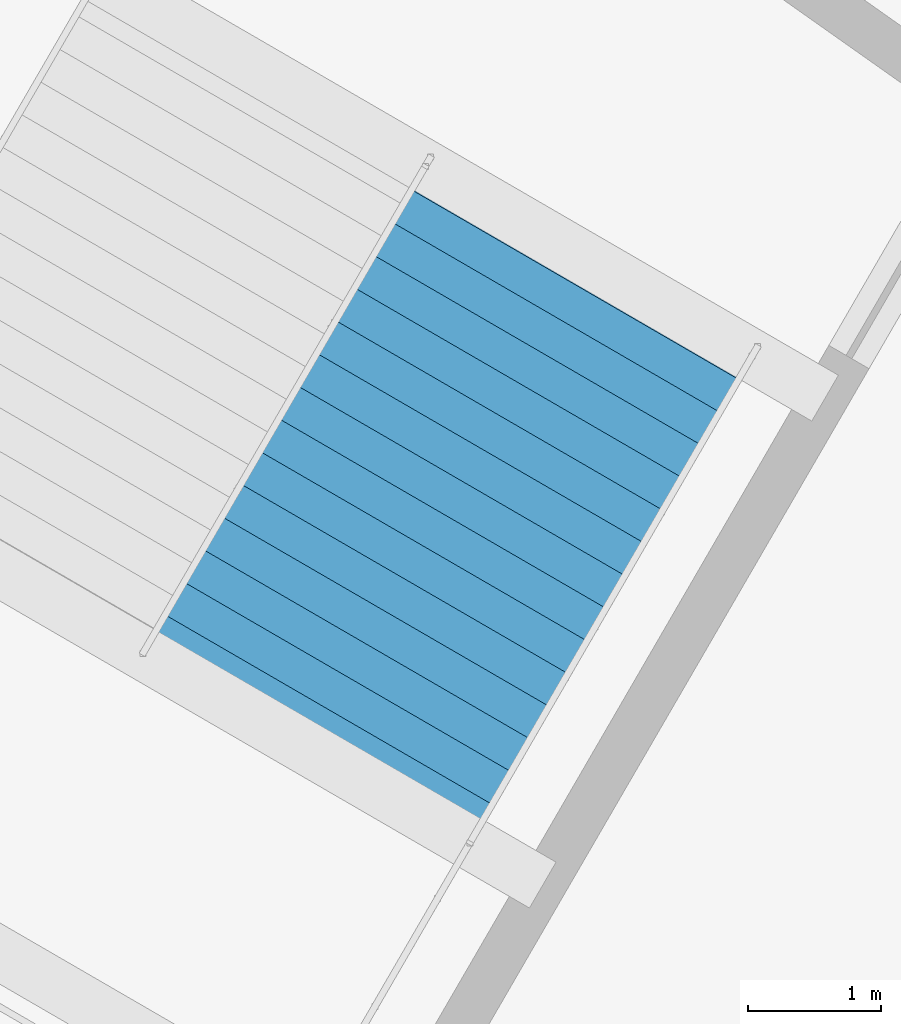
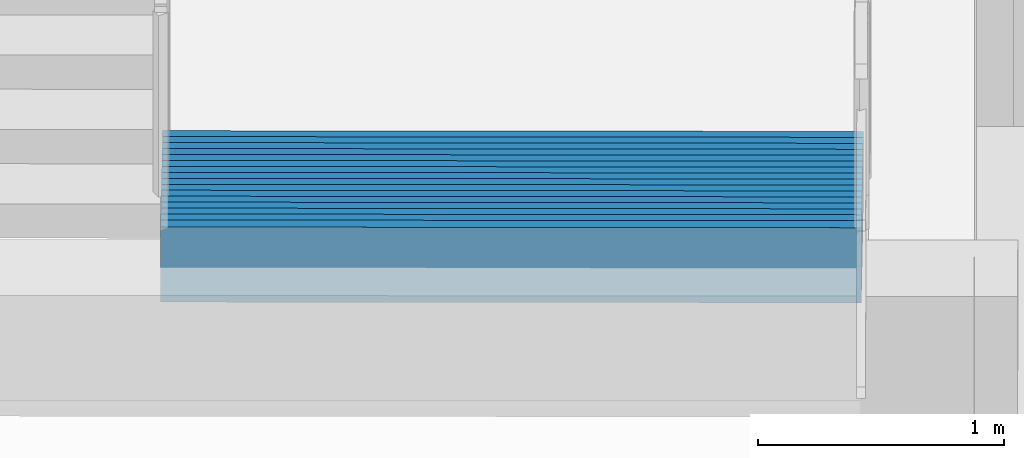
# One storey, part 90 of 103: 1 stair flight, 1 element without a shape of its own.
"""IFC4 building model written with IfcOpenShell, lengths in metres."""

from ifc_helpers import new_model, si_unit, direction, frame, origin, place, context, subcontext, project, spatial, polygons, material, type_object, element, aggregate, save


model = new_model("IFC4")

# Units and contexts
model_context = context("Model", 3, precision=1e-05, world=origin(), true_north=direction((0.0, 1.0)))
body_context = subcontext(model_context, "Body", "Model", "MODEL_VIEW")
ifc_project = project(units=[si_unit("LENGTHUNIT", "METRE"), si_unit("AREAUNIT", "SQUARE_METRE"), si_unit("VOLUMEUNIT", "CUBIC_METRE"), si_unit("PLANEANGLEUNIT", "RADIAN"), si_unit("MASSUNIT", "GRAM", prefix="KILO")], contexts=[model_context])

# Site, building, storey
site_placement = place(None, origin())
site = spatial("IfcSite", under=ifc_project, at=site_placement, CompositionType="ELEMENT")
building_placement = place(site_placement, origin())
building = spatial("IfcBuilding", under=site, at=building_placement, Name="Kazemori Nagisa Stadium", CompositionType="ELEMENT")
storey_placement = place(building_placement, frame((0.0, 0.0, 25.840087890625)))
storey = spatial("IfcBuildingStorey", under=building, at=storey_placement, Name="L05", CompositionType="ELEMENT", Elevation=25.840087890625)

# Stair, stair flight
ifc_material = material(Name="Concrete C36/45 (Fc36)", Category="concrete")
stair_type = type_object("IfcStairType", Name="Stair_CORE_32", PredefinedType="TWO_STRAIGHT_RUN_STAIR", material=ifc_material)
stair_placement = place(storey_placement, origin())
stair = element("IfcStair", 1, at=stair_placement, inside=storey, type_object=stair_type, Name="Exit stair ST08 L05", PredefinedType="TWO_STRAIGHT_RUN_STAIR")
stair_flight_type = type_object("IfcStairFlightType", Name="Flight_CORE_16", PredefinedType="STRAIGHT", material=ifc_material)
stair_flight_placement = place(storey_placement, frame((49.54345703125, 150.724609375, 0.0), z_axis=(0.0, 0.0, 1.0), x_axis=(-0.501596719773, -0.865101572483, 0.0)))
stair_flight = element("IfcStairFlight", 2, at=stair_flight_placement, type_object=stair_flight_type, Name="Exit stair ST08 L05 flight 1", NumberOfRisers=16, NumberOfTreads=15, PredefinedType="STRAIGHT", RiserHeight=0.17, TreadLength=0.285, context=body_context, shape_type="Tessellation", body=[
    polygons([(0.0, -1.425048828125, 0.0), (0.0, -1.425048828125, 0.169921875), (0.284912109375, -1.425048828125, 0.169921875), (0.284912109375, -1.425048828125, 0.340087890625), (0.570068359375, -1.425048828125, 0.340087890625), (0.570068359375, -1.425048828125, 0.510009765625), (0.85498046875, -1.425048828125, 0.510009765625), (0.85498046875, -1.425048828125, 0.679931640625), (1.139892578125, -1.425048828125, 0.679931640625), (1.139892578125, -1.425048828125, 0.85009765625), (1.425048828125, -1.425048828125, 0.85009765625), (1.425048828125, -1.425048828125, 1.02001953125), (1.7099609375, -1.425048828125, 1.02001953125), (1.7099609375, -1.425048828125, 1.18994140625), (1.9951171875, -1.425048828125, 1.18994140625), (1.9951171875, -1.425048828125, 1.360107421875), (2.280029296875, -1.425048828125, 1.360107421875), (2.280029296875, -1.425048828125, 1.530029296875), (2.56494140625, -1.425048828125, 1.530029296875), (2.56494140625, -1.425048828125, 1.699951171875), (2.85009765625, -1.425048828125, 1.699951171875), (2.85009765625, -1.425048828125, 1.8701171875), (3.135009765625, -1.425048828125, 1.8701171875), (3.135009765625, -1.425048828125, 2.0400390625), (3.419921875, -1.425048828125, 2.0400390625), (3.419921875, -1.425048828125, 2.2099609375), (3.705078125, -1.425048828125, 2.2099609375), (3.705078125, -1.425048828125, 2.3798828125), (3.989990234375, -1.425048828125, 2.3798828125), (3.989990234375, -1.425048828125, 2.550048828125), (4.27490234375, -1.425048828125, 2.550048828125), (4.27490234375, -1.425048828125, 2.719970703125), (4.324951171875, -1.425048828125, 2.719970703125), (4.324951171875, -1.425048828125, 2.346923828125), (4.27490234375, -1.425048828125, 2.317138671875), (3.989990234375, -1.425048828125, 2.147216796875), (3.705078125, -1.425048828125, 1.977294921875), (3.419921875, -1.425048828125, 1.80712890625), (3.135009765625, -1.425048828125, 1.63720703125), (2.85009765625, -1.425048828125, 1.46728515625), (2.56494140625, -1.425048828125, 1.297119140625), (2.280029296875, -1.425048828125, 1.127197265625), (1.9951171875, -1.425048828125, 0.957275390625), (1.7099609375, -1.425048828125, 0.787109375), (1.425048828125, -1.425048828125, 0.6171875), (1.139892578125, -1.425048828125, 0.447265625), (0.85498046875, -1.425048828125, 0.277099609375), (0.570068359375, -1.425048828125, 0.107177734375), (0.284912109375, -1.425048828125, 0.0), (0.0, -0.08544921875, 0.0), (0.0, -0.08544921875, 0.169921875), (0.284912109375, -0.08544921875, 0.169921875), (0.284912109375, -0.08544921875, 0.340087890625), (0.570068359375, -0.08544921875, 0.340087890625), (0.570068359375, -0.08544921875, 0.510009765625), (0.85498046875, -0.08544921875, 0.510009765625), (0.85498046875, -0.08544921875, 0.679931640625), (1.139892578125, -0.08544921875, 0.679931640625), (1.139892578125, -0.08544921875, 0.85009765625), (1.425048828125, -0.08544921875, 0.85009765625), (1.425048828125, -0.08544921875, 1.02001953125), (1.7099609375, -0.08544921875, 1.02001953125), (1.7099609375, -0.08544921875, 1.18994140625), (1.9951171875, -0.08544921875, 1.18994140625), (1.9951171875, -0.08544921875, 1.360107421875), (2.280029296875, -0.08544921875, 1.360107421875), (2.280029296875, -0.08544921875, 1.530029296875), (2.56494140625, -0.08544921875, 1.530029296875), (2.56494140625, -0.08544921875, 1.699951171875), (2.85009765625, -0.08544921875, 1.699951171875), (2.85009765625, -0.08544921875, 1.8701171875), (3.135009765625, -0.08544921875, 1.8701171875), (3.135009765625, -0.08544921875, 2.0400390625), (3.419921875, -0.08544921875, 2.0400390625), (3.419921875, -0.08544921875, 2.2099609375), (3.705078125, -0.08544921875, 2.2099609375), (3.705078125, -0.08544921875, 2.3798828125), (3.989990234375, -0.08544921875, 2.3798828125), (3.989990234375, -0.08544921875, 2.550048828125), (4.27490234375, -0.08544921875, 2.550048828125), (4.27490234375, -0.08544921875, 2.719970703125), (4.324951171875, -0.08544921875, 2.719970703125), (4.324951171875, -0.08544921875, 2.346923828125), (4.27490234375, -0.08544921875, 2.317138671875), (3.989990234375, -0.08544921875, 2.147216796875), (3.705078125, -0.08544921875, 1.977294921875), (3.419921875, -0.08544921875, 1.80712890625), (3.135009765625, -0.08544921875, 1.63720703125), (2.85009765625, -0.08544921875, 1.46728515625), (2.56494140625, -0.08544921875, 1.297119140625), (2.280029296875, -0.08544921875, 1.127197265625), (1.9951171875, -0.08544921875, 0.957275390625), (1.7099609375, -0.08544921875, 0.787109375), (1.425048828125, -0.08544921875, 0.6171875), (1.139892578125, -0.08544921875, 0.447265625), (0.85498046875, -0.08544921875, 0.277099609375), (0.570068359375, -0.08544921875, 0.107177734375), (0.284912109375, -0.08544921875, 0.0), (0.0, 0.0, 0.0), (0.0, 0.0, 0.169921875), (0.284912109375, 0.0, 0.169921875), (0.284912109375, 0.0, 0.340087890625), (0.570068359375, 0.0, 0.340087890625), (0.570068359375, 0.0, 0.510009765625), (0.85498046875, 0.0, 0.510009765625), (0.85498046875, 0.0, 0.679931640625), (1.139892578125, 0.0, 0.679931640625), (1.139892578125, 0.0, 0.85009765625), (1.425048828125, 0.0, 0.85009765625), (1.425048828125, 0.0, 1.02001953125), (1.7099609375, 0.0, 1.02001953125), (1.7099609375, 0.0, 1.18994140625), (1.9951171875, 0.0, 1.18994140625), (1.9951171875, 0.0, 1.360107421875), (2.280029296875, 0.0, 1.360107421875), (2.280029296875, 0.0, 1.530029296875), (2.56494140625, 0.0, 1.530029296875), (2.56494140625, 0.0, 1.699951171875), (2.85009765625, 0.0, 1.699951171875), (2.85009765625, 0.0, 1.8701171875), (3.135009765625, 0.0, 1.8701171875), (3.135009765625, 0.0, 2.0400390625), (3.419921875, 0.0, 2.0400390625), (3.419921875, 0.0, 2.2099609375), (3.705078125, 0.0, 2.2099609375), (3.705078125, 0.0, 2.3798828125), (3.989990234375, 0.0, 2.3798828125), (3.989990234375, 0.0, 2.550048828125), (4.27490234375, 0.0, 2.550048828125), (4.27490234375, 0.0, 2.719970703125), (4.324951171875, 0.0, 2.719970703125), (4.324951171875, 0.0, 2.346923828125), (4.27490234375, 0.0, 2.317138671875), (3.989990234375, 0.0, 2.147216796875), (3.705078125, 0.0, 1.977294921875), (3.419921875, 0.0, 1.80712890625), (3.135009765625, 0.0, 1.63720703125), (2.85009765625, 0.0, 1.46728515625), (2.56494140625, 0.0, 1.297119140625), (2.280029296875, 0.0, 1.127197265625), (1.9951171875, 0.0, 0.957275390625), (1.7099609375, 0.0, 0.787109375), (1.425048828125, 0.0, 0.6171875), (1.139892578125, 0.0, 0.447265625), (0.85498046875, 0.0, 0.277099609375), (0.570068359375, 0.0, 0.107177734375), (0.284912109375, 0.0, 0.0), (0.0, 0.08544921875, 0.0), (0.0, 0.08544921875, 0.169921875), (0.284912109375, 0.08544921875, 0.169921875), (0.284912109375, 0.08544921875, 0.340087890625), (0.570068359375, 0.08544921875, 0.340087890625), (0.570068359375, 0.08544921875, 0.510009765625), (0.85498046875, 0.08544921875, 0.510009765625), (0.85498046875, 0.08544921875, 0.679931640625), (1.139892578125, 0.08544921875, 0.679931640625), (1.139892578125, 0.08544921875, 0.85009765625), (1.425048828125, 0.08544921875, 0.85009765625), (1.425048828125, 0.08544921875, 1.02001953125), (1.7099609375, 0.08544921875, 1.02001953125), (1.7099609375, 0.08544921875, 1.18994140625), (1.9951171875, 0.08544921875, 1.18994140625), (1.9951171875, 0.08544921875, 1.360107421875), (2.280029296875, 0.08544921875, 1.360107421875), (2.280029296875, 0.08544921875, 1.530029296875), (2.56494140625, 0.08544921875, 1.530029296875), (2.56494140625, 0.08544921875, 1.699951171875), (2.85009765625, 0.08544921875, 1.699951171875), (2.85009765625, 0.08544921875, 1.8701171875), (3.135009765625, 0.08544921875, 1.8701171875), (3.135009765625, 0.08544921875, 2.0400390625), (3.419921875, 0.08544921875, 2.0400390625), (3.419921875, 0.08544921875, 2.2099609375), (3.705078125, 0.08544921875, 2.2099609375), (3.705078125, 0.08544921875, 2.3798828125), (3.989990234375, 0.08544921875, 2.3798828125), (3.989990234375, 0.08544921875, 2.550048828125), (4.27490234375, 0.08544921875, 2.550048828125), (4.27490234375, 0.08544921875, 2.719970703125), (4.324951171875, 0.08544921875, 2.719970703125), (4.324951171875, 0.08544921875, 2.346923828125), (4.27490234375, 0.08544921875, 2.317138671875), (3.989990234375, 0.08544921875, 2.147216796875), (3.705078125, 0.08544921875, 1.977294921875), (3.419921875, 0.08544921875, 1.80712890625), (3.135009765625, 0.08544921875, 1.63720703125), (2.85009765625, 0.08544921875, 1.46728515625), (2.56494140625, 0.08544921875, 1.297119140625), (2.280029296875, 0.08544921875, 1.127197265625), (1.9951171875, 0.08544921875, 0.957275390625), (1.7099609375, 0.08544921875, 0.787109375), (1.425048828125, 0.08544921875, 0.6171875), (1.139892578125, 0.08544921875, 0.447265625), (0.85498046875, 0.08544921875, 0.277099609375), (0.570068359375, 0.08544921875, 0.107177734375), (0.284912109375, 0.08544921875, 0.0), (0.0, 1.425048828125, 0.0), (0.0, 1.425048828125, 0.169921875), (0.284912109375, 1.425048828125, 0.169921875), (0.284912109375, 1.425048828125, 0.340087890625), (0.570068359375, 1.425048828125, 0.340087890625), (0.570068359375, 1.425048828125, 0.510009765625), (0.85498046875, 1.425048828125, 0.510009765625), (0.85498046875, 1.425048828125, 0.679931640625), (1.139892578125, 1.425048828125, 0.679931640625), (1.139892578125, 1.425048828125, 0.85009765625), (1.425048828125, 1.425048828125, 0.85009765625), (1.425048828125, 1.425048828125, 1.02001953125), (1.7099609375, 1.425048828125, 1.02001953125), (1.7099609375, 1.425048828125, 1.18994140625), (1.9951171875, 1.425048828125, 1.18994140625), (1.9951171875, 1.425048828125, 1.360107421875), (2.280029296875, 1.425048828125, 1.360107421875), (2.280029296875, 1.425048828125, 1.530029296875), (2.56494140625, 1.425048828125, 1.530029296875), (2.56494140625, 1.425048828125, 1.699951171875), (2.85009765625, 1.425048828125, 1.699951171875), (2.85009765625, 1.425048828125, 1.8701171875), (3.135009765625, 1.425048828125, 1.8701171875), (3.135009765625, 1.425048828125, 2.0400390625), (3.419921875, 1.425048828125, 2.0400390625), (3.419921875, 1.425048828125, 2.2099609375), (3.705078125, 1.425048828125, 2.2099609375), (3.705078125, 1.425048828125, 2.3798828125), (3.989990234375, 1.425048828125, 2.3798828125), (3.989990234375, 1.425048828125, 2.550048828125), (4.27490234375, 1.425048828125, 2.550048828125), (4.27490234375, 1.425048828125, 2.719970703125), (4.324951171875, 1.425048828125, 2.719970703125), (4.324951171875, 1.425048828125, 2.346923828125), (4.27490234375, 1.425048828125, 2.317138671875), (3.989990234375, 1.425048828125, 2.147216796875), (3.705078125, 1.425048828125, 1.977294921875), (3.419921875, 1.425048828125, 1.80712890625), (3.135009765625, 1.425048828125, 1.63720703125), (2.85009765625, 1.425048828125, 1.46728515625), (2.56494140625, 1.425048828125, 1.297119140625), (2.280029296875, 1.425048828125, 1.127197265625), (1.9951171875, 1.425048828125, 0.957275390625), (1.7099609375, 1.425048828125, 0.787109375), (1.425048828125, 1.425048828125, 0.6171875), (1.139892578125, 1.425048828125, 0.447265625), (0.85498046875, 1.425048828125, 0.277099609375), (0.570068359375, 1.425048828125, 0.107177734375), (0.284912109375, 1.425048828125, 0.0)], [[[1, 2, 51]], [[1, 51, 50]], [[2, 3, 52]], [[2, 52, 51]], [[3, 4, 53]], [[3, 53, 52]], [[4, 5, 54]], [[4, 54, 53]], [[5, 6, 55]], [[5, 55, 54]], [[6, 7, 56]], [[6, 56, 55]], [[7, 8, 57]], [[7, 57, 56]], [[8, 9, 58]], [[8, 58, 57]], [[9, 10, 59]], [[9, 59, 58]], [[10, 11, 60]], [[10, 60, 59]], [[11, 12, 61]], [[11, 61, 60]], [[12, 13, 62]], [[12, 62, 61]], [[13, 14, 63]], [[13, 63, 62]], [[14, 15, 64]], [[14, 64, 63]], [[15, 16, 65]], [[15, 65, 64]], [[16, 17, 66]], [[16, 66, 65]], [[17, 18, 67]], [[17, 67, 66]], [[18, 19, 68]], [[18, 68, 67]], [[19, 20, 69]], [[19, 69, 68]], [[20, 21, 70]], [[20, 70, 69]], [[21, 22, 71]], [[21, 71, 70]], [[22, 23, 72]], [[22, 72, 71]], [[23, 24, 73]], [[23, 73, 72]], [[24, 25, 74]], [[24, 74, 73]], [[25, 26, 75]], [[25, 75, 74]], [[26, 27, 76]], [[26, 76, 75]], [[27, 28, 77]], [[27, 77, 76]], [[28, 29, 78]], [[28, 78, 77]], [[29, 30, 79]], [[29, 79, 78]], [[30, 31, 80]], [[30, 80, 79]], [[31, 32, 81]], [[31, 81, 80]], [[32, 33, 82]], [[32, 82, 81]], [[33, 34, 83]], [[33, 83, 82]], [[34, 35, 84]], [[34, 84, 83]], [[35, 36, 85]], [[35, 85, 84]], [[36, 37, 86]], [[36, 86, 85]], [[37, 38, 87]], [[37, 87, 86]], [[38, 39, 88]], [[38, 88, 87]], [[39, 40, 89]], [[39, 89, 88]], [[40, 41, 90]], [[40, 90, 89]], [[41, 42, 91]], [[41, 91, 90]], [[42, 43, 92]], [[42, 92, 91]], [[43, 44, 93]], [[43, 93, 92]], [[44, 45, 94]], [[44, 94, 93]], [[45, 46, 95]], [[45, 95, 94]], [[46, 47, 96]], [[46, 96, 95]], [[47, 48, 97]], [[47, 97, 96]], [[48, 49, 98]], [[48, 98, 97]], [[49, 1, 50]], [[49, 50, 98]], [[50, 51, 100]], [[50, 100, 99]], [[51, 52, 101]], [[51, 101, 100]], [[52, 53, 102]], [[52, 102, 101]], [[53, 54, 103]], [[53, 103, 102]], [[54, 55, 104]], [[54, 104, 103]], [[55, 56, 105]], [[55, 105, 104]], [[56, 57, 106]], [[56, 106, 105]], [[57, 58, 107]], [[57, 107, 106]], [[58, 59, 108]], [[58, 108, 107]], [[59, 60, 109]], [[59, 109, 108]], [[60, 61, 110]], [[60, 110, 109]], [[61, 62, 111]], [[61, 111, 110]], [[62, 63, 112]], [[62, 112, 111]], [[63, 64, 113]], [[63, 113, 112]], [[64, 65, 114]], [[64, 114, 113]], [[65, 66, 115]], [[65, 115, 114]], [[66, 67, 116]], [[66, 116, 115]], [[67, 68, 117]], [[67, 117, 116]], [[68, 69, 118]], [[68, 118, 117]], [[69, 70, 119]], [[69, 119, 118]], [[70, 71, 120]], [[70, 120, 119]], [[71, 72, 121]], [[71, 121, 120]], [[72, 73, 122]], [[72, 122, 121]], [[73, 74, 123]], [[73, 123, 122]], [[74, 75, 124]], [[74, 124, 123]], [[75, 76, 125]], [[75, 125, 124]], [[76, 77, 126]], [[76, 126, 125]], [[77, 78, 127]], [[77, 127, 126]], [[78, 79, 128]], [[78, 128, 127]], [[79, 80, 129]], [[79, 129, 128]], [[80, 81, 130]], [[80, 130, 129]], [[81, 82, 131]], [[81, 131, 130]], [[82, 83, 132]], [[82, 132, 131]], [[83, 84, 133]], [[83, 133, 132]], [[84, 85, 134]], [[84, 134, 133]], [[85, 86, 135]], [[85, 135, 134]], [[86, 87, 136]], [[86, 136, 135]], [[87, 88, 137]], [[87, 137, 136]], [[88, 89, 138]], [[88, 138, 137]], [[89, 90, 139]], [[89, 139, 138]], [[90, 91, 140]], [[90, 140, 139]], [[91, 92, 141]], [[91, 141, 140]], [[92, 93, 142]], [[92, 142, 141]], [[93, 94, 143]], [[93, 143, 142]], [[94, 95, 144]], [[94, 144, 143]], [[95, 96, 145]], [[95, 145, 144]], [[96, 97, 146]], [[96, 146, 145]], [[97, 98, 147]], [[97, 147, 146]], [[98, 50, 99]], [[98, 99, 147]], [[99, 100, 149]], [[99, 149, 148]], [[100, 101, 150]], [[100, 150, 149]], [[101, 102, 151]], [[101, 151, 150]], [[102, 103, 152]], [[102, 152, 151]], [[103, 104, 153]], [[103, 153, 152]], [[104, 105, 154]], [[104, 154, 153]], [[105, 106, 155]], [[105, 155, 154]], [[106, 107, 156]], [[106, 156, 155]], [[107, 108, 157]], [[107, 157, 156]], [[108, 109, 158]], [[108, 158, 157]], [[109, 110, 159]], [[109, 159, 158]], [[110, 111, 160]], [[110, 160, 159]], [[111, 112, 161]], [[111, 161, 160]], [[112, 113, 162]], [[112, 162, 161]], [[113, 114, 163]], [[113, 163, 162]], [[114, 115, 164]], [[114, 164, 163]], [[115, 116, 165]], [[115, 165, 164]], [[116, 117, 166]], [[116, 166, 165]], [[117, 118, 167]], [[117, 167, 166]], [[118, 119, 168]], [[118, 168, 167]], [[119, 120, 169]], [[119, 169, 168]], [[120, 121, 170]], [[120, 170, 169]], [[121, 122, 171]], [[121, 171, 170]], [[122, 123, 172]], [[122, 172, 171]], [[123, 124, 173]], [[123, 173, 172]], [[124, 125, 174]], [[124, 174, 173]], [[125, 126, 175]], [[125, 175, 174]], [[126, 127, 176]], [[126, 176, 175]], [[127, 128, 177]], [[127, 177, 176]], [[128, 129, 178]], [[128, 178, 177]], [[129, 130, 179]], [[129, 179, 178]], [[130, 131, 180]], [[130, 180, 179]], [[131, 132, 181]], [[131, 181, 180]], [[132, 133, 182]], [[132, 182, 181]], [[133, 134, 183]], [[133, 183, 182]], [[134, 135, 184]], [[134, 184, 183]], [[135, 136, 185]], [[135, 185, 184]], [[136, 137, 186]], [[136, 186, 185]], [[137, 138, 187]], [[137, 187, 186]], [[138, 139, 188]], [[138, 188, 187]], [[139, 140, 189]], [[139, 189, 188]], [[140, 141, 190]], [[140, 190, 189]], [[141, 142, 191]], [[141, 191, 190]], [[142, 143, 192]], [[142, 192, 191]], [[143, 144, 193]], [[143, 193, 192]], [[144, 145, 194]], [[144, 194, 193]], [[145, 146, 195]], [[145, 195, 194]], [[146, 147, 196]], [[146, 196, 195]], [[147, 99, 148]], [[147, 148, 196]], [[148, 149, 198]], [[148, 198, 197]], [[149, 150, 199]], [[149, 199, 198]], [[150, 151, 200]], [[150, 200, 199]], [[151, 152, 201]], [[151, 201, 200]], [[152, 153, 202]], [[152, 202, 201]], [[153, 154, 203]], [[153, 203, 202]], [[154, 155, 204]], [[154, 204, 203]], [[155, 156, 205]], [[155, 205, 204]], [[156, 157, 206]], [[156, 206, 205]], [[157, 158, 207]], [[157, 207, 206]], [[158, 159, 208]], [[158, 208, 207]], [[159, 160, 209]], [[159, 209, 208]], [[160, 161, 210]], [[160, 210, 209]], [[161, 162, 211]], [[161, 211, 210]], [[162, 163, 212]], [[162, 212, 211]], [[163, 164, 213]], [[163, 213, 212]], [[164, 165, 214]], [[164, 214, 213]], [[165, 166, 215]], [[165, 215, 214]], [[166, 167, 216]], [[166, 216, 215]], [[167, 168, 217]], [[167, 217, 216]], [[168, 169, 218]], [[168, 218, 217]], [[169, 170, 219]], [[169, 219, 218]], [[170, 171, 220]], [[170, 220, 219]], [[171, 172, 221]], [[171, 221, 220]], [[172, 173, 222]], [[172, 222, 221]], [[173, 174, 223]], [[173, 223, 222]], [[174, 175, 224]], [[174, 224, 223]], [[175, 176, 225]], [[175, 225, 224]], [[176, 177, 226]], [[176, 226, 225]], [[177, 178, 227]], [[177, 227, 226]], [[178, 179, 228]], [[178, 228, 227]], [[179, 180, 229]], [[179, 229, 228]], [[180, 181, 230]], [[180, 230, 229]], [[181, 182, 231]], [[181, 231, 230]], [[182, 183, 232]], [[182, 232, 231]], [[183, 184, 233]], [[183, 233, 232]], [[184, 185, 234]], [[184, 234, 233]], [[185, 186, 235]], [[185, 235, 234]], [[186, 187, 236]], [[186, 236, 235]], [[187, 188, 237]], [[187, 237, 236]], [[188, 189, 238]], [[188, 238, 237]], [[189, 190, 239]], [[189, 239, 238]], [[190, 191, 240]], [[190, 240, 239]], [[191, 192, 241]], [[191, 241, 240]], [[192, 193, 242]], [[192, 242, 241]], [[193, 194, 243]], [[193, 243, 242]], [[194, 195, 244]], [[194, 244, 243]], [[195, 196, 245]], [[195, 245, 244]], [[196, 148, 197]], [[196, 197, 245]], [[3, 2, 1]], [[197, 198, 199]], [[49, 3, 1]], [[197, 199, 245]], [[48, 3, 49]], [[245, 199, 244]], [[5, 3, 48]], [[244, 199, 201]], [[5, 4, 3]], [[199, 200, 201]], [[47, 5, 48]], [[244, 201, 243]], [[7, 5, 47]], [[243, 201, 203]], [[7, 6, 5]], [[201, 202, 203]], [[46, 7, 47]], [[243, 203, 242]], [[9, 7, 46]], [[242, 203, 205]], [[9, 8, 7]], [[203, 204, 205]], [[45, 9, 46]], [[242, 205, 241]], [[11, 9, 45]], [[241, 205, 207]], [[11, 10, 9]], [[205, 206, 207]], [[44, 11, 45]], [[241, 207, 240]], [[13, 11, 44]], [[240, 207, 209]], [[13, 12, 11]], [[207, 208, 209]], [[43, 13, 44]], [[240, 209, 239]], [[15, 13, 43]], [[239, 209, 211]], [[15, 14, 13]], [[209, 210, 211]], [[42, 15, 43]], [[239, 211, 238]], [[17, 15, 42]], [[238, 211, 213]], [[17, 16, 15]], [[211, 212, 213]], [[41, 17, 42]], [[238, 213, 237]], [[19, 17, 41]], [[237, 213, 215]], [[19, 18, 17]], [[213, 214, 215]], [[40, 19, 41]], [[237, 215, 236]], [[21, 19, 40]], [[236, 215, 217]], [[21, 20, 19]], [[215, 216, 217]], [[39, 21, 40]], [[236, 217, 235]], [[23, 21, 39]], [[235, 217, 219]], [[23, 22, 21]], [[217, 218, 219]], [[38, 23, 39]], [[235, 219, 234]], [[25, 23, 38]], [[234, 219, 221]], [[25, 24, 23]], [[219, 220, 221]], [[37, 25, 38]], [[234, 221, 233]], [[27, 25, 37]], [[233, 221, 223]], [[27, 26, 25]], [[221, 222, 223]], [[36, 27, 37]], [[233, 223, 232]], [[29, 27, 36]], [[232, 223, 225]], [[29, 28, 27]], [[223, 224, 225]], [[35, 29, 36]], [[232, 225, 231]], [[31, 29, 35]], [[231, 225, 227]], [[31, 30, 29]], [[225, 226, 227]], [[34, 31, 35]], [[231, 227, 230]], [[33, 31, 34]], [[230, 227, 229]], [[33, 32, 31]], [[227, 228, 229]]], closed=True),
])
aggregate(stair, [stair_flight])

save(model, "model.ifc")
